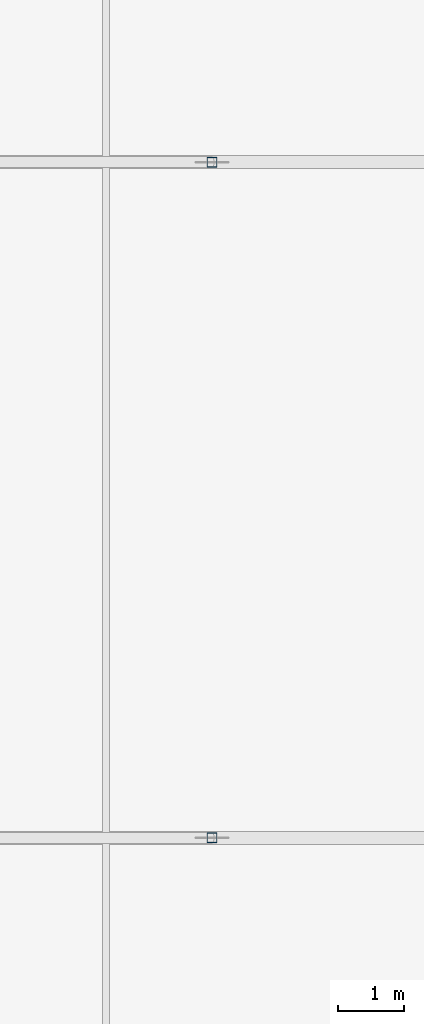
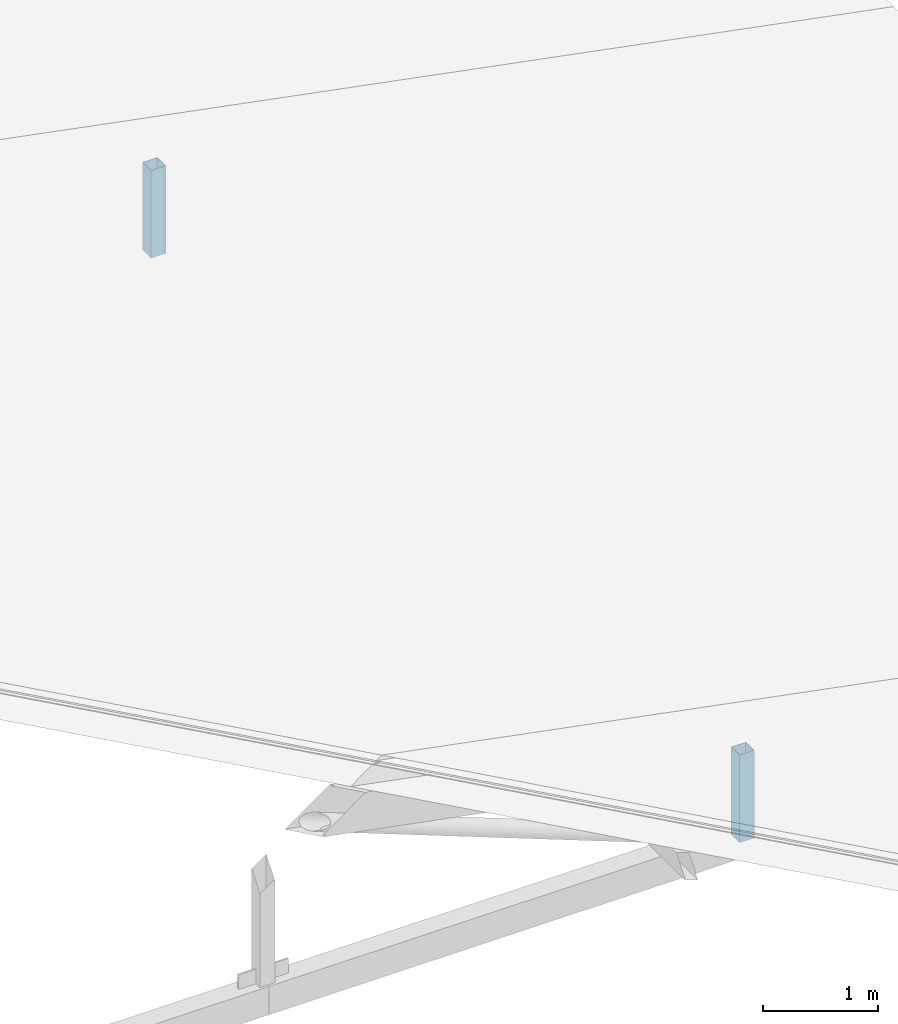
# One storey, part 129 of 200: 2 members.
"""IFC4 building model written with IfcOpenShell, lengths in metres."""

import ifcopenshell
import ifcopenshell.guid

model = None  # the IFC model being written
_history = None  # IfcOwnerHistory: only IFC2X3 demands one
_inside = {}  # id of a spatial element -> (the spatial element, [elements in it])
_under = {}  # id of a project, library or spatial element -> (it, [spatial elements below it])
_declared = {}  # id of a project -> (the project, [libraries it declares])
_typed = {}  # id of a type object -> (the type object, [elements of that type])
_made_of = {}  # id of a material, layer set ... -> (it, [elements and type objects made of it])


def new_model(schema):
    """Start an empty IFC model of exactly this schema.

    Asked for "IFC4X3", IfcOpenShell would pick the latest addendum, in which some entities
    have other attributes; the version numbers below select the first issue.
    IFC2X3 requires an IfcOwnerHistory on every rooted entity: one is made here for all.
    """
    global model, _history
    if schema == "IFC4X3":
        model = ifcopenshell.file(schema_version=(4, 3, 0, 0))
    else:
        model = ifcopenshell.file(schema=schema)
    _inside.clear()
    _under.clear()
    _declared.clear()
    _typed.clear()
    _made_of.clear()
    _history = None
    if model.schema == "IFC2X3":
        org = make("IfcOrganization", Name="unknown")
        user = make(
            "IfcPersonAndOrganization",
            ThePerson=make("IfcPerson", FamilyName="unknown"),
            TheOrganization=org,
        )
        app = make(
            "IfcApplication",
            ApplicationDeveloper=org,
            Version="unknown",
            ApplicationFullName="unknown",
            ApplicationIdentifier="unknown",
        )
        _history = make(
            "IfcOwnerHistory",
            OwningUser=user,
            OwningApplication=app,
            ChangeAction="ADDED",
            CreationDate=0,
        )
    return model


def make(cls, **values):
    """One entity of the class cls with the attributes given. An attribute that is None is left unset."""
    return model.create_entity(
        cls, **{name: value for name, value in values.items() if value is not None}
    )


def rooted(cls, **values):
    """An entity with a GlobalId (a new one), such as an element, a storey or a relation."""
    return make(cls, GlobalId=ifcopenshell.guid.new(), OwnerHistory=_history, **values)


def si_unit(unit_type, name, prefix=None):
    """IfcSIUnit, for example si_unit("LENGTHUNIT", "METRE", prefix="MILLI")."""
    return make("IfcSIUnit", UnitType=unit_type, Prefix=prefix, Name=name)


def assignment(units):
    """IfcUnitAssignment: the units of a project."""
    return None if units is None else make("IfcUnitAssignment", Units=units)


def point(xyz):
    """IfcCartesianPoint."""
    return None if xyz is None else make("IfcCartesianPoint", Coordinates=xyz)


def direction(xyz):
    """IfcDirection."""
    return None if xyz is None else make("IfcDirection", DirectionRatios=xyz)


def frame(location, z_axis=None, x_axis=None):
    """IfcAxis2Placement3D, a coordinate frame: its origin and axes. An axis left out is left unset."""
    return make(
        "IfcAxis2Placement3D",
        Location=point(location),
        Axis=direction(z_axis),
        RefDirection=direction(x_axis),
    )


def frame_2d(location, x_axis=None):
    """IfcAxis2Placement2D, a coordinate frame in the plane: its origin and x axis."""
    return make(
        "IfcAxis2Placement2D", Location=point(location), RefDirection=direction(x_axis)
    )


def origin():
    """The frame at (0, 0, 0) with its axes left unset."""
    return frame((0.0, 0.0, 0.0))


def origin_2d():
    """The frame at (0, 0) in the plane with its x axis left unset."""
    return frame_2d((0.0, 0.0))


def place(relative_to, where):
    """IfcLocalPlacement: puts the frame where relative to a parent placement (None: the world)."""
    return make(
        "IfcLocalPlacement", PlacementRelTo=relative_to, RelativePlacement=where
    )


def context(
    kind, dimensions, precision=None, world=None, true_north=None, identifier=None
):
    """IfcGeometricRepresentationContext, for example the 3D "Model" context."""
    return make(
        "IfcGeometricRepresentationContext",
        ContextIdentifier=identifier,
        ContextType=kind,
        CoordinateSpaceDimension=dimensions,
        Precision=precision,
        WorldCoordinateSystem=world,
        TrueNorth=true_north,
    )


def subcontext(parent, identifier, kind, view, scale=None):
    """IfcGeometricRepresentationSubContext, for example "Body" below "Model"."""
    return make(
        "IfcGeometricRepresentationSubContext",
        ContextIdentifier=identifier,
        ContextType=kind,
        ParentContext=parent,
        TargetScale=scale,
        TargetView=view,
    )


def project(units=None, contexts=None):
    """IfcProject with its units and contexts."""
    return rooted(
        "IfcProject",
        Name="project",
        RepresentationContexts=contexts,
        UnitsInContext=assignment(units),
    )


def spatial(cls, under=None, at=None, **own):
    """A site, building, storey or space (cls), placed at a placement, below another one or the project."""
    s = rooted(cls, ObjectPlacement=at, **own)
    if under is not None:
        _under.setdefault(under.id(), (under, []))[1].append(s)
    return s


def profile(cls, at=None, kind="AREA", **sizes):
    """A parametric profile (cls). Its sizes go by their IFC names, for example OverallWidth=200.0."""
    return make(cls, ProfileType=kind, Position=at, **sizes)


def hollow_rectangle(**sizes):
    """IfcRectangleHollowProfileDef."""
    return profile("IfcRectangleHollowProfileDef", **sizes)


def extrude(swept, where, along, depth):
    """IfcExtrudedAreaSolid: the profile swept, set in the frame where, extruded along a direction by depth."""
    return make(
        "IfcExtrudedAreaSolid",
        SweptArea=swept,
        Position=where,
        ExtrudedDirection=direction(along),
        Depth=depth,
    )


def shape(context_of_items, identifier, shape_type, items):
    """IfcShapeRepresentation: the items that make up one representation, for example the "Body"."""
    return make(
        "IfcShapeRepresentation",
        ContextOfItems=context_of_items,
        RepresentationIdentifier=identifier,
        RepresentationType=shape_type,
        Items=items,
    )


def material(Name=None, Category=None):
    """IfcMaterial."""
    return make("IfcMaterial", Name=Name, Category=Category)


def material_profile(
    of_material, cross_section, Name=None, Category=None, Priority=None
):
    """IfcMaterialProfile: a cross section and its material."""
    return make(
        "IfcMaterialProfile",
        Name=Name,
        Material=of_material,
        Profile=cross_section,
        Priority=Priority,
        Category=Category,
    )


def profile_set(profiles, Name=None, composite=None):
    """IfcMaterialProfileSet."""
    return make(
        "IfcMaterialProfileSet",
        Name=Name,
        MaterialProfiles=profiles,
        CompositeProfile=composite,
    )


def made_of(thing, what):
    """Note that an element or type object is made of a material, layer set ...; save() writes the relation."""
    if what is not None:
        _made_of.setdefault(what.id(), (what, []))[1].append(thing)
    return thing


def type_object(cls, material=None, **own):
    """A type object (cls), such as IfcWallType, which elements share."""
    return made_of(rooted(cls, **own), material)


def element(
    cls,
    number,
    at=None,
    inside=None,
    cuts=None,
    type_object=None,
    material=None,
    context=None,
    identifier="Body",
    shape_type=None,
    held_by="IfcProductDefinitionShape",
    body=None,
    shapes=None,
    **own,
):
    """One element of the class cls, such as IfcWall. Its Tag is "e" and its number.

    at: its placement. inside: the storey or other place that contains it. cuts: it is an
    opening in that element (IfcRelVoidsElement). A single representation is given by context,
    identifier, shape_type and body (its items); several are given by shapes. held_by: the class
    of the entity that holds the representations. save() writes the other relations.
    """
    e = rooted(cls, Tag="e%d" % number, ObjectPlacement=at, **own)
    if body is not None:
        shapes = [shape(context, identifier, shape_type, body)]
    if shapes is not None:
        e.Representation = make(held_by, Representations=shapes)
    if inside is not None:
        _inside.setdefault(inside.id(), (inside, []))[1].append(e)
    if cuts is not None:
        rooted(
            "IfcRelVoidsElement", RelatingBuildingElement=cuts, RelatedOpeningElement=e
        )
    if type_object is not None:
        _typed.setdefault(type_object.id(), (type_object, []))[1].append(e)
    return made_of(e, material)


def aggregate(whole, parts):
    """IfcRelAggregates: a whole, such as a stair, and the parts it consists of."""
    return rooted("IfcRelAggregates", RelatingObject=whole, RelatedObjects=parts)


def save(model, path):
    """Write the relations noted so far, then the file.

    IfcRelAggregates (storeys below a building ...), IfcRelContainedInSpatialStructure (elements
    in a storey), IfcRelDefinesByType, IfcRelAssociatesMaterial and IfcRelDeclares: one each for
    every whole, place, type object, material and project.
    """
    for whole, parts in _under.values():
        aggregate(whole, parts)
    for where, things in _inside.values():
        rooted(
            "IfcRelContainedInSpatialStructure",
            RelatedElements=things,
            RelatingStructure=where,
        )
    for kind, things in _typed.values():
        rooted("IfcRelDefinesByType", RelatedObjects=things, RelatingType=kind)
    for what, things in _made_of.values():
        rooted("IfcRelAssociatesMaterial", RelatedObjects=things, RelatingMaterial=what)
    for by, libraries in _declared.values():
        rooted("IfcRelDeclares", RelatingContext=by, RelatedDefinitions=libraries)
    model.write(path)


model = new_model("IFC4")

# Units and contexts
model_context = context("Model", 3, precision=1e-05, world=origin(), true_north=direction((0.0, 1.0)))
body_context = subcontext(model_context, "Body", "Model", "MODEL_VIEW")
ifc_project = project(units=[si_unit("LENGTHUNIT", "METRE"), si_unit("AREAUNIT", "SQUARE_METRE"), si_unit("VOLUMEUNIT", "CUBIC_METRE"), si_unit("PLANEANGLEUNIT", "RADIAN"), si_unit("MASSUNIT", "GRAM", prefix="KILO")], contexts=[model_context])

# Site, building, storey
site_placement = place(None, origin())
site = spatial("IfcSite", under=ifc_project, at=site_placement, CompositionType="ELEMENT")
building_placement = place(site_placement, origin())
building = spatial("IfcBuilding", under=site, at=building_placement, Name="Vondelvale Polytechnic", CompositionType="ELEMENT")
storey_placement = place(building_placement, frame((0.0, 0.0, 13.800048828125)))
storey = spatial("IfcBuildingStorey", under=building, at=storey_placement, Name="L03", CompositionType="ELEMENT", Elevation=13.800048828125)

# Members
ifc_material = material(Name="Steel C350L0 (fy = 350 MPa)", Category="steel")
ifc_material_profile = material_profile(ifc_material, hollow_rectangle(XDim=0.14990234375, YDim=0.14990234375, WallThickness=0.006103515625, at=origin_2d()), Name="150x150x6.0SHS")
ifc_profile_set = profile_set([ifc_material_profile], Name="Steel C350L0 (fy = 350 MPa)")
member_type = type_object("IfcMemberType", Name="ROOF TRUSS POST 150SHS", PredefinedType="POST", material=ifc_profile_set)
for number, where, z_axis, x_axis, name in (
    (1, (43.199951171875, 91.800048828125, -0.420166015625), (0.0, 0.0, 1.0), (1.0, 0.0, 0.0), "ROOF TRUSS TR-05 vertical post 8"),
    (2, (43.199951171875, 102.0, -0.420166015625), (0.0, 0.0, 1.0), (1.0, 0.0, 0.0), "ROOF TRUSS TR-06 vertical post 8"),
):
    element("IfcMember", number, at=place(storey_placement, frame(where, z_axis=z_axis, x_axis=x_axis)), inside=storey, type_object=member_type, Name=name, PredefinedType="POST", context=body_context, shape_type="SweptSolid", body=[
        extrude(hollow_rectangle(XDim=0.14990234375, YDim=0.14990234375, WallThickness=0.006103515625, at=origin_2d()), origin(), (0.0, 0.0, 1.0), 0.925048828125),
    ])

save(model, "model.ifc")
